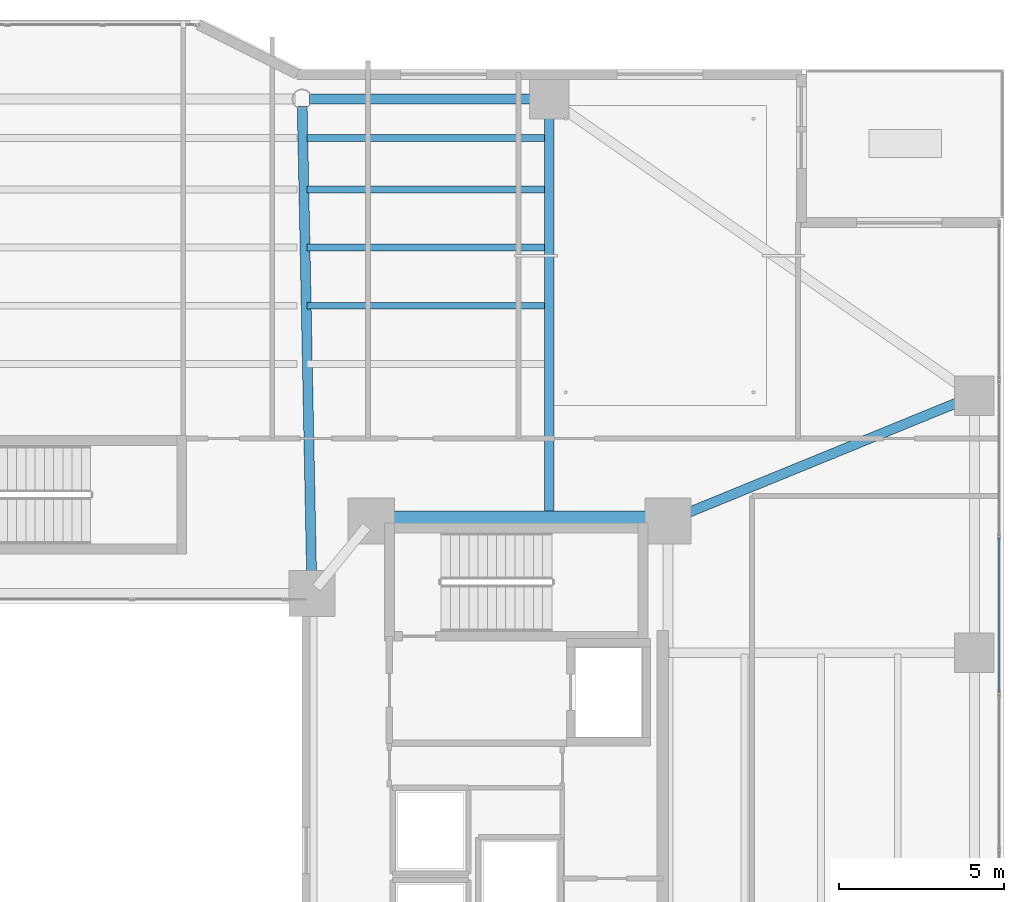
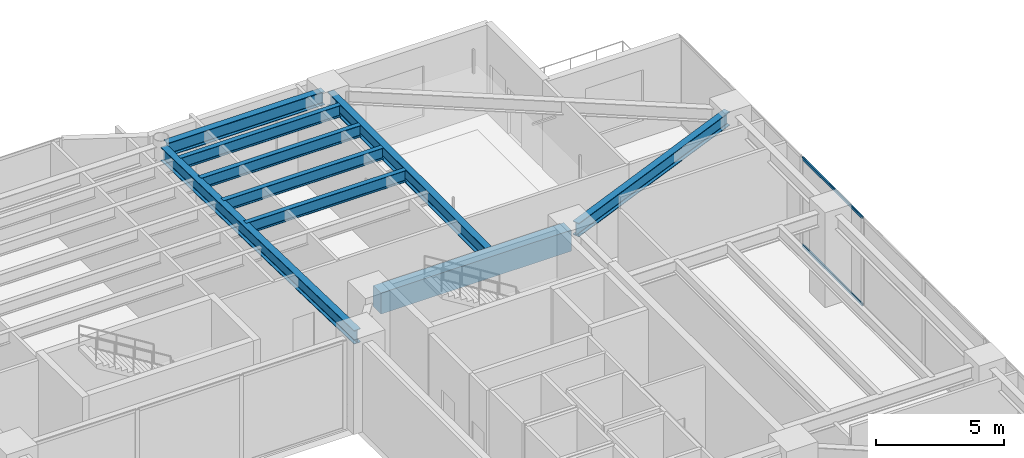
# One storey, part 25 of 40: 9 beams, 2 members, 1 element without a shape of its own.
"""IFC4 building model written with IfcOpenShell, lengths in metres."""

import ifcopenshell
import ifcopenshell.guid

model = None  # the IFC model being written
_history = None  # IfcOwnerHistory: only IFC2X3 demands one
_inside = {}  # id of a spatial element -> (the spatial element, [elements in it])
_under = {}  # id of a project, library or spatial element -> (it, [spatial elements below it])
_declared = {}  # id of a project -> (the project, [libraries it declares])
_typed = {}  # id of a type object -> (the type object, [elements of that type])
_made_of = {}  # id of a material, layer set ... -> (it, [elements and type objects made of it])


def new_model(schema):
    """Start an empty IFC model of exactly this schema.

    Asked for "IFC4X3", IfcOpenShell would pick the latest addendum, in which some entities
    have other attributes; the version numbers below select the first issue.
    IFC2X3 requires an IfcOwnerHistory on every rooted entity: one is made here for all.
    """
    global model, _history
    if schema == "IFC4X3":
        model = ifcopenshell.file(schema_version=(4, 3, 0, 0))
    else:
        model = ifcopenshell.file(schema=schema)
    _inside.clear()
    _under.clear()
    _declared.clear()
    _typed.clear()
    _made_of.clear()
    _history = None
    if model.schema == "IFC2X3":
        org = make("IfcOrganization", Name="unknown")
        user = make(
            "IfcPersonAndOrganization",
            ThePerson=make("IfcPerson", FamilyName="unknown"),
            TheOrganization=org,
        )
        app = make(
            "IfcApplication",
            ApplicationDeveloper=org,
            Version="unknown",
            ApplicationFullName="unknown",
            ApplicationIdentifier="unknown",
        )
        _history = make(
            "IfcOwnerHistory",
            OwningUser=user,
            OwningApplication=app,
            ChangeAction="ADDED",
            CreationDate=0,
        )
    return model


def make(cls, **values):
    """One entity of the class cls with the attributes given. An attribute that is None is left unset."""
    return model.create_entity(
        cls, **{name: value for name, value in values.items() if value is not None}
    )


def rooted(cls, **values):
    """An entity with a GlobalId (a new one), such as an element, a storey or a relation."""
    return make(cls, GlobalId=ifcopenshell.guid.new(), OwnerHistory=_history, **values)


def si_unit(unit_type, name, prefix=None):
    """IfcSIUnit, for example si_unit("LENGTHUNIT", "METRE", prefix="MILLI")."""
    return make("IfcSIUnit", UnitType=unit_type, Prefix=prefix, Name=name)


def assignment(units):
    """IfcUnitAssignment: the units of a project."""
    return None if units is None else make("IfcUnitAssignment", Units=units)


def point(xyz):
    """IfcCartesianPoint."""
    return None if xyz is None else make("IfcCartesianPoint", Coordinates=xyz)


def direction(xyz):
    """IfcDirection."""
    return None if xyz is None else make("IfcDirection", DirectionRatios=xyz)


def frame(location, z_axis=None, x_axis=None):
    """IfcAxis2Placement3D, a coordinate frame: its origin and axes. An axis left out is left unset."""
    return make(
        "IfcAxis2Placement3D",
        Location=point(location),
        Axis=direction(z_axis),
        RefDirection=direction(x_axis),
    )


def frame_2d(location, x_axis=None):
    """IfcAxis2Placement2D, a coordinate frame in the plane: its origin and x axis."""
    return make(
        "IfcAxis2Placement2D", Location=point(location), RefDirection=direction(x_axis)
    )


def origin():
    """The frame at (0, 0, 0) with its axes left unset."""
    return frame((0.0, 0.0, 0.0))


def origin_2d():
    """The frame at (0, 0) in the plane with its x axis left unset."""
    return frame_2d((0.0, 0.0))


def place(relative_to, where):
    """IfcLocalPlacement: puts the frame where relative to a parent placement (None: the world)."""
    return make(
        "IfcLocalPlacement", PlacementRelTo=relative_to, RelativePlacement=where
    )


def context(
    kind, dimensions, precision=None, world=None, true_north=None, identifier=None
):
    """IfcGeometricRepresentationContext, for example the 3D "Model" context."""
    return make(
        "IfcGeometricRepresentationContext",
        ContextIdentifier=identifier,
        ContextType=kind,
        CoordinateSpaceDimension=dimensions,
        Precision=precision,
        WorldCoordinateSystem=world,
        TrueNorth=true_north,
    )


def subcontext(parent, identifier, kind, view, scale=None):
    """IfcGeometricRepresentationSubContext, for example "Body" below "Model"."""
    return make(
        "IfcGeometricRepresentationSubContext",
        ContextIdentifier=identifier,
        ContextType=kind,
        ParentContext=parent,
        TargetScale=scale,
        TargetView=view,
    )


def project(units=None, contexts=None):
    """IfcProject with its units and contexts."""
    return rooted(
        "IfcProject",
        Name="project",
        RepresentationContexts=contexts,
        UnitsInContext=assignment(units),
    )


def spatial(cls, under=None, at=None, **own):
    """A site, building, storey or space (cls), placed at a placement, below another one or the project."""
    s = rooted(cls, ObjectPlacement=at, **own)
    if under is not None:
        _under.setdefault(under.id(), (under, []))[1].append(s)
    return s


def profile(cls, at=None, kind="AREA", **sizes):
    """A parametric profile (cls). Its sizes go by their IFC names, for example OverallWidth=200.0."""
    return make(cls, ProfileType=kind, Position=at, **sizes)


def rectangle(**sizes):
    """IfcRectangleProfileDef."""
    return profile("IfcRectangleProfileDef", **sizes)


def hollow_rectangle(**sizes):
    """IfcRectangleHollowProfileDef."""
    return profile("IfcRectangleHollowProfileDef", **sizes)


def i_section(**sizes):
    """IfcIShapeProfileDef."""
    return profile("IfcIShapeProfileDef", **sizes)


def extrude(swept, where, along, depth):
    """IfcExtrudedAreaSolid: the profile swept, set in the frame where, extruded along a direction by depth."""
    return make(
        "IfcExtrudedAreaSolid",
        SweptArea=swept,
        Position=where,
        ExtrudedDirection=direction(along),
        Depth=depth,
    )


def shape(context_of_items, identifier, shape_type, items):
    """IfcShapeRepresentation: the items that make up one representation, for example the "Body"."""
    return make(
        "IfcShapeRepresentation",
        ContextOfItems=context_of_items,
        RepresentationIdentifier=identifier,
        RepresentationType=shape_type,
        Items=items,
    )


def material(Name=None, Category=None):
    """IfcMaterial."""
    return make("IfcMaterial", Name=Name, Category=Category)


def layer(
    of_material, thickness, ventilated=None, Name=None, Category=None, Priority=None
):
    """IfcMaterialLayer: one layer of a wall or slab, of a material (None: an air gap)."""
    return make(
        "IfcMaterialLayer",
        Material=of_material,
        LayerThickness=thickness,
        IsVentilated=ventilated,
        Name=Name,
        Category=Category,
        Priority=Priority,
    )


def layer_set(layers, Name=None):
    """IfcMaterialLayerSet."""
    return make("IfcMaterialLayerSet", MaterialLayers=layers, LayerSetName=Name)


def material_profile(
    of_material, cross_section, Name=None, Category=None, Priority=None
):
    """IfcMaterialProfile: a cross section and its material."""
    return make(
        "IfcMaterialProfile",
        Name=Name,
        Material=of_material,
        Profile=cross_section,
        Priority=Priority,
        Category=Category,
    )


def profile_set(profiles, Name=None, composite=None):
    """IfcMaterialProfileSet."""
    return make(
        "IfcMaterialProfileSet",
        Name=Name,
        MaterialProfiles=profiles,
        CompositeProfile=composite,
    )


def made_of(thing, what):
    """Note that an element or type object is made of a material, layer set ...; save() writes the relation."""
    if what is not None:
        _made_of.setdefault(what.id(), (what, []))[1].append(thing)
    return thing


def type_object(cls, material=None, **own):
    """A type object (cls), such as IfcWallType, which elements share."""
    return made_of(rooted(cls, **own), material)


def element(
    cls,
    number,
    at=None,
    inside=None,
    cuts=None,
    type_object=None,
    material=None,
    context=None,
    identifier="Body",
    shape_type=None,
    held_by="IfcProductDefinitionShape",
    body=None,
    shapes=None,
    **own,
):
    """One element of the class cls, such as IfcWall. Its Tag is "e" and its number.

    at: its placement. inside: the storey or other place that contains it. cuts: it is an
    opening in that element (IfcRelVoidsElement). A single representation is given by context,
    identifier, shape_type and body (its items); several are given by shapes. held_by: the class
    of the entity that holds the representations. save() writes the other relations.
    """
    e = rooted(cls, Tag="e%d" % number, ObjectPlacement=at, **own)
    if body is not None:
        shapes = [shape(context, identifier, shape_type, body)]
    if shapes is not None:
        e.Representation = make(held_by, Representations=shapes)
    if inside is not None:
        _inside.setdefault(inside.id(), (inside, []))[1].append(e)
    if cuts is not None:
        rooted(
            "IfcRelVoidsElement", RelatingBuildingElement=cuts, RelatedOpeningElement=e
        )
    if type_object is not None:
        _typed.setdefault(type_object.id(), (type_object, []))[1].append(e)
    return made_of(e, material)


def aggregate(whole, parts):
    """IfcRelAggregates: a whole, such as a stair, and the parts it consists of."""
    return rooted("IfcRelAggregates", RelatingObject=whole, RelatedObjects=parts)


def save(model, path):
    """Write the relations noted so far, then the file.

    IfcRelAggregates (storeys below a building ...), IfcRelContainedInSpatialStructure (elements
    in a storey), IfcRelDefinesByType, IfcRelAssociatesMaterial and IfcRelDeclares: one each for
    every whole, place, type object, material and project.
    """
    for whole, parts in _under.values():
        aggregate(whole, parts)
    for where, things in _inside.values():
        rooted(
            "IfcRelContainedInSpatialStructure",
            RelatedElements=things,
            RelatingStructure=where,
        )
    for kind, things in _typed.values():
        rooted("IfcRelDefinesByType", RelatedObjects=things, RelatingType=kind)
    for what, things in _made_of.values():
        rooted("IfcRelAssociatesMaterial", RelatedObjects=things, RelatingMaterial=what)
    for by, libraries in _declared.values():
        rooted("IfcRelDeclares", RelatingContext=by, RelatedDefinitions=libraries)
    model.write(path)


model = new_model("IFC4")

# Units and contexts
model_context = context("Model", 3, precision=1e-05, world=origin(), true_north=direction((0.0, 1.0)))
body_context = subcontext(model_context, "Body", "Model", "MODEL_VIEW")
ifc_project = project(units=[si_unit("LENGTHUNIT", "METRE"), si_unit("AREAUNIT", "SQUARE_METRE"), si_unit("VOLUMEUNIT", "CUBIC_METRE"), si_unit("PLANEANGLEUNIT", "RADIAN"), si_unit("MASSUNIT", "GRAM", prefix="KILO")], contexts=[model_context])

# Site, building, storey
site_placement = place(None, origin())
site = spatial("IfcSite", under=ifc_project, at=site_placement, CompositionType="ELEMENT")
building_placement = place(site_placement, origin())
building = spatial("IfcBuilding", under=site, at=building_placement, Name="Tarnavaz Court Tower", CompositionType="ELEMENT")
storey_placement = place(building_placement, frame((0.0, 0.0, 64.199951171875)))
storey = spatial("IfcBuildingStorey", under=building, at=storey_placement, Name="L17", CompositionType="ELEMENT", Elevation=64.199951171875)

# Beams
ifc_material_1 = material(Name="Concrete C60/75", Category="concrete")
ifc_material_profile_1 = material_profile(ifc_material_1, rectangle(XDim=0.60009765625, YDim=1.0, at=origin_2d()), Name="RC 600X1000")
ifc_profile_set_1 = profile_set([ifc_material_profile_1], Name="Concrete C60/75")
beam_type_1 = type_object("IfcBeamType", Name="BM-CB1000", PredefinedType="LINTEL", material=ifc_profile_set_1)
beam_1_placement = place(storey_placement, frame((18.3798828125, 10.0, 3.699951171875), z_axis=(-1.0, 0.0, 0.0), x_axis=(0.0, -1.0, 0.0)))
element("IfcBeam", 1, at=beam_1_placement, inside=storey, type_object=beam_type_1, Name="L17 Beam IN-CE-NO-CE-NI", PredefinedType="LINTEL", context=body_context, shape_type="SweptSolid", body=[
    extrude(rectangle(XDim=0.60009765625, YDim=1.0, at=origin_2d()), origin(), (0.0, 0.0, 1.0), 8.559814453125),
])
ifc_material_2 = material(Name="Steel S355", Category="steel")
ifc_material_profile_2 = material_profile(ifc_material_2, i_section(OverallWidth=0.300048828125, OverallDepth=0.64990234375, WebThickness=0.01611328125, FlangeThickness=0.031005859375, FilletRadius=0.027099609375, at=origin_2d()), Name="HEB 650")
ifc_profile_set_2 = profile_set([ifc_material_profile_2], Name="Steel S355")
beam_type_2 = type_object("IfcBeamType", Name="BM-G-HEB650", PredefinedType="USERDEFINED", material=ifc_profile_set_2)
beam_2_placement = place(storey_placement, frame((7.795654296875, 8.02001953125, 3.875), z_axis=(-0.020000023066, 0.999799979535, 0.0), x_axis=(-0.999799979535, -0.020000023066, 0.0)))
element("IfcBeam", 2, at=beam_2_placement, inside=storey, type_object=beam_type_2, Name="L17 Beam RG-03", ObjectType="GIRDER", PredefinedType="USERDEFINED", context=body_context, shape_type="SweptSolid", body=[
    extrude(i_section(OverallWidth=0.300048828125, OverallDepth=0.64990234375, WebThickness=0.01611328125, FlangeThickness=0.031005859375, FilletRadius=0.027099609375, at=origin_2d()), origin(), (0.0, 0.0, 1.0), 14.56298828125),
])
beam_3_placement = place(storey_placement, frame((15.0, 10.0400390625, 3.875), z_axis=(0.0, 1.0, 0.0), x_axis=(-1.0, 0.0, 0.0)))
element("IfcBeam", 3, at=beam_3_placement, inside=storey, type_object=beam_type_2, Name="L17 Beam RG-04", ObjectType="GIRDER", PredefinedType="USERDEFINED", context=body_context, shape_type="SweptSolid", body=[
    extrude(i_section(OverallWidth=0.300048828125, OverallDepth=0.64990234375, WebThickness=0.01611328125, FlangeThickness=0.031005859375, FilletRadius=0.027099609375, at=origin_2d()), origin(), (0.0, 0.0, 1.0), 12.5400390625),
])
beam_4_placement = place(storey_placement, frame((18.8037109375, 10.083251953125, 3.875), z_axis=(0.925704761705, 0.378246869329, 0.0), x_axis=(-0.378246869329, 0.925704761705, 0.0)))
element("IfcBeam", 4, at=beam_4_placement, inside=storey, type_object=beam_type_2, Name="L17 Beam RG-12", ObjectType="GIRDER", PredefinedType="USERDEFINED", context=body_context, shape_type="SweptSolid", body=[
    extrude(i_section(OverallWidth=0.300048828125, OverallDepth=0.64990234375, WebThickness=0.01611328125, FlangeThickness=0.031005859375, FilletRadius=0.027099609375, at=origin_2d()), origin(), (0.0, 0.0, 1.0), 9.606201171875),
])
ifc_material_profile_3 = material_profile(ifc_material_2, i_section(OverallWidth=0.2099609375, OverallDepth=0.550048828125, WebThickness=0.010986328125, FlangeThickness=0.01708984375, FilletRadius=0.02392578125, at=origin_2d()), Name="IPE 550")
ifc_profile_set_3 = profile_set([ifc_material_profile_3], Name="Steel S355")
beam_type_3 = type_object("IfcBeamType", Name="BM-J-IPE550", PredefinedType="JOIST", material=ifc_profile_set_3)
for number, where, z_axis, x_axis, name in (
    (5, (7.64990234375, 16.528076171875, 3.925048828125), (1.0, 0.0, 0.0), (0.0, 1.0, 0.0), "L17 Beam JN2-3"),
    (6, (7.64990234375, 18.2919921875, 3.925048828125), (1.0, 0.0, 0.0), (0.0, 1.0, 0.0), "L17 Beam JN3-3"),
    (7, (7.64990234375, 20.055908203125, 3.925048828125), (1.0, 0.0, 0.0), (0.0, 1.0, 0.0), "L17 Beam JN4-3"),
    (8, (7.64990234375, 21.6240234375, 3.925048828125), (1.0, 0.0, 0.0), (0.0, 1.0, 0.0), "L17 Beam JN5-3"),
):
    element("IfcBeam", number, at=place(storey_placement, frame(where, z_axis=z_axis, x_axis=x_axis)), inside=storey, type_object=beam_type_3, Name=name, PredefinedType="JOIST", context=body_context, shape_type="SweptSolid", body=[
        extrude(i_section(OverallWidth=0.2099609375, OverallDepth=0.550048828125, WebThickness=0.010986328125, FlangeThickness=0.01708984375, FilletRadius=0.02392578125, at=origin_2d()), origin(), (0.0, 0.0, 1.0), 7.2001953125),
    ])
ifc_material_profile_4 = material_profile(ifc_material_2, i_section(OverallWidth=0.300048828125, OverallDepth=0.639892578125, WebThickness=0.013427734375, FlangeThickness=0.02587890625, FilletRadius=0.027099609375, at=origin_2d()), Name="HEA 650")
ifc_profile_set_4 = profile_set([ifc_material_profile_4], Name="Steel S355")
beam_type_4 = type_object("IfcBeamType", Name="BM-SP-HEA650", PredefinedType="SPANDREL", material=ifc_profile_set_4)
beam_5_placement = place(storey_placement, frame((7.719970703125, 22.800048828125, 3.880126953125), z_axis=(1.0, 0.0, 0.0), x_axis=(0.0, 1.0, 0.0)))
element("IfcBeam", 9, at=beam_5_placement, inside=storey, type_object=beam_type_4, Name="L17 Beam PR-PN-3-PN-4", PredefinedType="SPANDREL", context=body_context, shape_type="SweptSolid", body=[
    extrude(i_section(OverallWidth=0.300048828125, OverallDepth=0.639892578125, WebThickness=0.013427734375, FlangeThickness=0.02587890625, FilletRadius=0.027099609375, at=origin_2d()), origin(), (0.0, 0.0, 1.0), 7.06005859375),
])

# Curtain wall, members
ifc_material_3 = material(Name="Anodised Aluminium 6063-T6 and Solar Low-E Glazing", Category="aluminium")
ifc_layer = layer(ifc_material_3, 0.199951171875)
ifc_layer_set = layer_set([ifc_layer], Name="Anodised Aluminium 6063-T6 and Solar Low-E Glazing")
curtain_wall_type = type_object("IfcCurtainWallType", Name="CW-SYS-05", PredefinedType="NOTDEFINED", material=ifc_layer_set)
curtain_wall_placement = place(storey_placement, origin())
curtain_wall = element("IfcCurtainWall", 10, at=curtain_wall_placement, inside=storey, type_object=curtain_wall_type, Name="L17 Sky-Portal Curtain Wall 12", PredefinedType="NOTDEFINED")
ifc_material_4 = material(Name="Anodised Aluminium 6063-T6", Category="aluminium")
ifc_material_profile_5 = material_profile(ifc_material_4, hollow_rectangle(XDim=0.06494140625, YDim=0.139892578125, WallThickness=0.00390625, InnerFilletRadius=0.00390625, OuterFilletRadius=0.008056640625, at=origin_2d()), Name="ALU RHS 140X65X4")
ifc_profile_set_5 = profile_set([ifc_material_profile_5], Name="Anodised Aluminium 6063-T6")
member_type = type_object("IfcMemberType", Name="CW-TRN-140", PredefinedType="USERDEFINED", material=ifc_profile_set_5)
member_1_placement = place(storey_placement, frame((28.64990234375, 9.482421875, 0.032470703125), z_axis=(0.0, -1.0, 0.0), x_axis=(1.0, 0.0, 0.0)))
member_1 = element("IfcMember", 11, at=member_1_placement, type_object=member_type, Name="CW transom 3.1", ObjectType="TRANSOM", PredefinedType="USERDEFINED", context=body_context, shape_type="SweptSolid", body=[
    extrude(hollow_rectangle(XDim=0.06494140625, YDim=0.139892578125, WallThickness=0.00390625, InnerFilletRadius=0.00390625, OuterFilletRadius=0.008056640625, at=origin_2d()), origin(), (0.0, 0.0, 1.0), 4.677490234375),
])
member_2_placement = place(storey_placement, frame((28.64990234375, 9.482421875, 4.16748046875), z_axis=(0.0, -1.0, 0.0), x_axis=(1.0, 0.0, 0.0)))
member_2 = element("IfcMember", 12, at=member_2_placement, type_object=member_type, Name="CW transom 3.2", ObjectType="TRANSOM", PredefinedType="USERDEFINED", context=body_context, shape_type="SweptSolid", body=[
    extrude(hollow_rectangle(XDim=0.06494140625, YDim=0.139892578125, WallThickness=0.00390625, InnerFilletRadius=0.00390625, OuterFilletRadius=0.008056640625, at=origin_2d()), origin(), (0.0, 0.0, 1.0), 4.677490234375),
])
aggregate(curtain_wall, [member_1, member_2])

save(model, "model.ifc")
